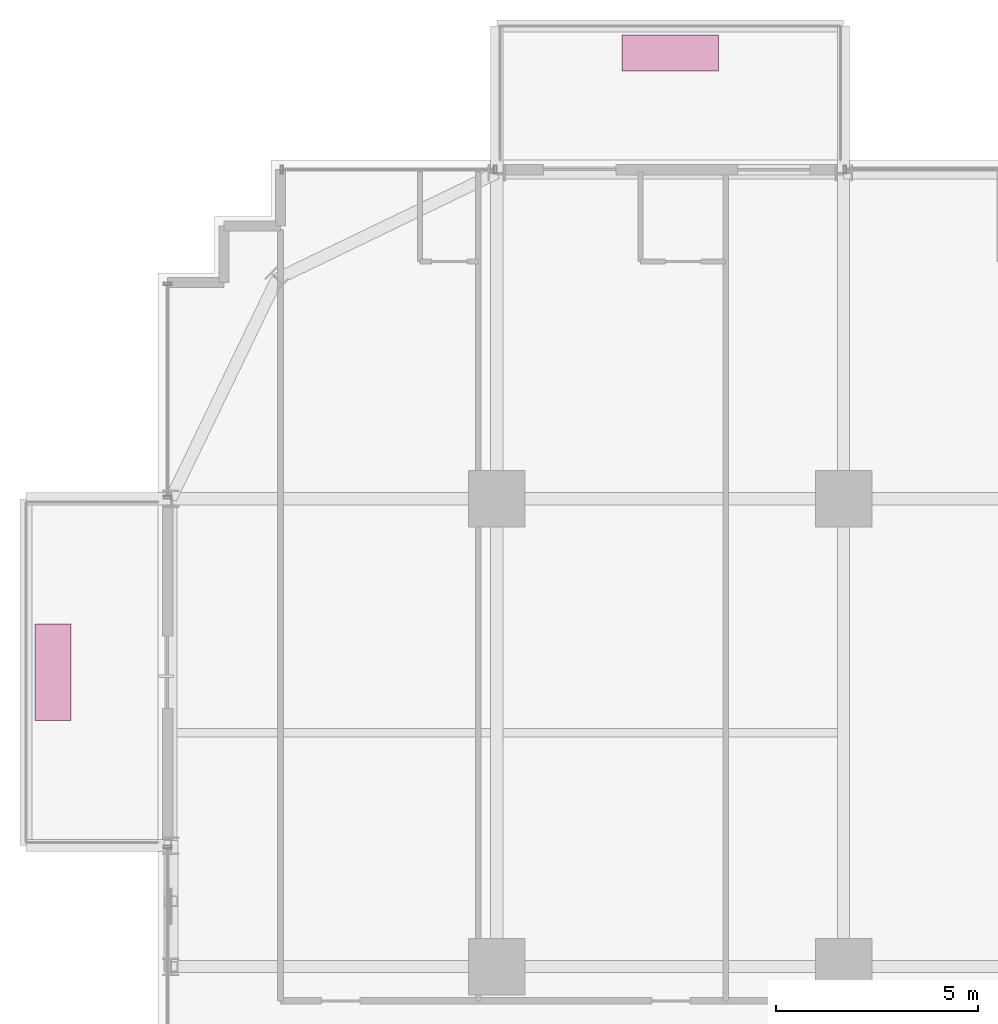
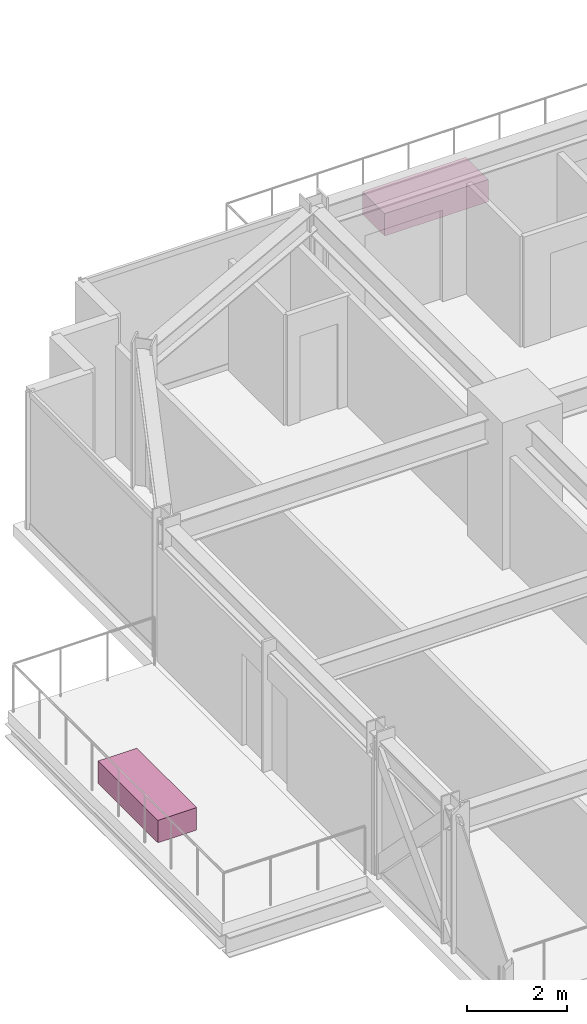
# One storey, part 42 of 42: 2 furnishings.
"""IFC4 building model written with IfcOpenShell, lengths in metres."""

import ifcopenshell
import ifcopenshell.guid

model = None  # the IFC model being written
_history = None  # IfcOwnerHistory: only IFC2X3 demands one
_inside = {}  # id of a spatial element -> (the spatial element, [elements in it])
_under = {}  # id of a project, library or spatial element -> (it, [spatial elements below it])
_declared = {}  # id of a project -> (the project, [libraries it declares])
_typed = {}  # id of a type object -> (the type object, [elements of that type])
_made_of = {}  # id of a material, layer set ... -> (it, [elements and type objects made of it])


def new_model(schema):
    """Start an empty IFC model of exactly this schema.

    Asked for "IFC4X3", IfcOpenShell would pick the latest addendum, in which some entities
    have other attributes; the version numbers below select the first issue.
    IFC2X3 requires an IfcOwnerHistory on every rooted entity: one is made here for all.
    """
    global model, _history
    if schema == "IFC4X3":
        model = ifcopenshell.file(schema_version=(4, 3, 0, 0))
    else:
        model = ifcopenshell.file(schema=schema)
    _inside.clear()
    _under.clear()
    _declared.clear()
    _typed.clear()
    _made_of.clear()
    _history = None
    if model.schema == "IFC2X3":
        org = make("IfcOrganization", Name="unknown")
        user = make(
            "IfcPersonAndOrganization",
            ThePerson=make("IfcPerson", FamilyName="unknown"),
            TheOrganization=org,
        )
        app = make(
            "IfcApplication",
            ApplicationDeveloper=org,
            Version="unknown",
            ApplicationFullName="unknown",
            ApplicationIdentifier="unknown",
        )
        _history = make(
            "IfcOwnerHistory",
            OwningUser=user,
            OwningApplication=app,
            ChangeAction="ADDED",
            CreationDate=0,
        )
    return model


def make(cls, **values):
    """One entity of the class cls with the attributes given. An attribute that is None is left unset."""
    return model.create_entity(
        cls, **{name: value for name, value in values.items() if value is not None}
    )


def rooted(cls, **values):
    """An entity with a GlobalId (a new one), such as an element, a storey or a relation."""
    return make(cls, GlobalId=ifcopenshell.guid.new(), OwnerHistory=_history, **values)


def si_unit(unit_type, name, prefix=None):
    """IfcSIUnit, for example si_unit("LENGTHUNIT", "METRE", prefix="MILLI")."""
    return make("IfcSIUnit", UnitType=unit_type, Prefix=prefix, Name=name)


def assignment(units):
    """IfcUnitAssignment: the units of a project."""
    return None if units is None else make("IfcUnitAssignment", Units=units)


def point(xyz):
    """IfcCartesianPoint."""
    return None if xyz is None else make("IfcCartesianPoint", Coordinates=xyz)


def direction(xyz):
    """IfcDirection."""
    return None if xyz is None else make("IfcDirection", DirectionRatios=xyz)


def frame(location, z_axis=None, x_axis=None):
    """IfcAxis2Placement3D, a coordinate frame: its origin and axes. An axis left out is left unset."""
    return make(
        "IfcAxis2Placement3D",
        Location=point(location),
        Axis=direction(z_axis),
        RefDirection=direction(x_axis),
    )


def frame_2d(location, x_axis=None):
    """IfcAxis2Placement2D, a coordinate frame in the plane: its origin and x axis."""
    return make(
        "IfcAxis2Placement2D", Location=point(location), RefDirection=direction(x_axis)
    )


def origin():
    """The frame at (0, 0, 0) with its axes left unset."""
    return frame((0.0, 0.0, 0.0))


def origin_2d():
    """The frame at (0, 0) in the plane with its x axis left unset."""
    return frame_2d((0.0, 0.0))


def place(relative_to, where):
    """IfcLocalPlacement: puts the frame where relative to a parent placement (None: the world)."""
    return make(
        "IfcLocalPlacement", PlacementRelTo=relative_to, RelativePlacement=where
    )


def context(
    kind, dimensions, precision=None, world=None, true_north=None, identifier=None
):
    """IfcGeometricRepresentationContext, for example the 3D "Model" context."""
    return make(
        "IfcGeometricRepresentationContext",
        ContextIdentifier=identifier,
        ContextType=kind,
        CoordinateSpaceDimension=dimensions,
        Precision=precision,
        WorldCoordinateSystem=world,
        TrueNorth=true_north,
    )


def subcontext(parent, identifier, kind, view, scale=None):
    """IfcGeometricRepresentationSubContext, for example "Body" below "Model"."""
    return make(
        "IfcGeometricRepresentationSubContext",
        ContextIdentifier=identifier,
        ContextType=kind,
        ParentContext=parent,
        TargetScale=scale,
        TargetView=view,
    )


def project(units=None, contexts=None):
    """IfcProject with its units and contexts."""
    return rooted(
        "IfcProject",
        Name="project",
        RepresentationContexts=contexts,
        UnitsInContext=assignment(units),
    )


def spatial(cls, under=None, at=None, **own):
    """A site, building, storey or space (cls), placed at a placement, below another one or the project."""
    s = rooted(cls, ObjectPlacement=at, **own)
    if under is not None:
        _under.setdefault(under.id(), (under, []))[1].append(s)
    return s


def profile(cls, at=None, kind="AREA", **sizes):
    """A parametric profile (cls). Its sizes go by their IFC names, for example OverallWidth=200.0."""
    return make(cls, ProfileType=kind, Position=at, **sizes)


def rectangle(**sizes):
    """IfcRectangleProfileDef."""
    return profile("IfcRectangleProfileDef", **sizes)


def extrude(swept, where, along, depth):
    """IfcExtrudedAreaSolid: the profile swept, set in the frame where, extruded along a direction by depth."""
    return make(
        "IfcExtrudedAreaSolid",
        SweptArea=swept,
        Position=where,
        ExtrudedDirection=direction(along),
        Depth=depth,
    )


def shape(context_of_items, identifier, shape_type, items):
    """IfcShapeRepresentation: the items that make up one representation, for example the "Body"."""
    return make(
        "IfcShapeRepresentation",
        ContextOfItems=context_of_items,
        RepresentationIdentifier=identifier,
        RepresentationType=shape_type,
        Items=items,
    )


def source(mapping_origin, context_of_items, identifier, shape_type, items):
    """IfcRepresentationMap: a shape defined once, which mapped items show again and again."""
    return make(
        "IfcRepresentationMap",
        MappingOrigin=mapping_origin,
        MappedRepresentation=shape(context_of_items, identifier, shape_type, items),
    )


def transform(
    local_origin,
    x_axis=None,
    y_axis=None,
    z_axis=None,
    scale=None,
    scale2=None,
    scale3=None,
    uniform=True,
):
    """IfcCartesianTransformationOperator3D, or its non-uniform kind. x_axis, y_axis, z_axis: its Axis1, 2, 3."""
    if uniform:
        return make(
            "IfcCartesianTransformationOperator3D",
            Axis1=direction(x_axis),
            Axis2=direction(y_axis),
            LocalOrigin=point(local_origin),
            Scale=scale,
            Axis3=direction(z_axis),
        )
    return make(
        "IfcCartesianTransformationOperator3DnonUniform",
        Axis1=direction(x_axis),
        Axis2=direction(y_axis),
        LocalOrigin=point(local_origin),
        Scale=scale,
        Axis3=direction(z_axis),
        Scale2=scale2,
        Scale3=scale3,
    )


def mapped(mapping_source, mapping_target):
    """IfcMappedItem: shows the shape of a source again, moved by a transform."""
    return make(
        "IfcMappedItem", MappingSource=mapping_source, MappingTarget=mapping_target
    )


def material(Name=None, Category=None):
    """IfcMaterial."""
    return make("IfcMaterial", Name=Name, Category=Category)


def made_of(thing, what):
    """Note that an element or type object is made of a material, layer set ...; save() writes the relation."""
    if what is not None:
        _made_of.setdefault(what.id(), (what, []))[1].append(thing)
    return thing


def type_object(cls, material=None, **own):
    """A type object (cls), such as IfcWallType, which elements share."""
    return made_of(rooted(cls, **own), material)


def element(
    cls,
    number,
    at=None,
    inside=None,
    cuts=None,
    type_object=None,
    material=None,
    context=None,
    identifier="Body",
    shape_type=None,
    held_by="IfcProductDefinitionShape",
    body=None,
    shapes=None,
    **own,
):
    """One element of the class cls, such as IfcWall. Its Tag is "e" and its number.

    at: its placement. inside: the storey or other place that contains it. cuts: it is an
    opening in that element (IfcRelVoidsElement). A single representation is given by context,
    identifier, shape_type and body (its items); several are given by shapes. held_by: the class
    of the entity that holds the representations. save() writes the other relations.
    """
    e = rooted(cls, Tag="e%d" % number, ObjectPlacement=at, **own)
    if body is not None:
        shapes = [shape(context, identifier, shape_type, body)]
    if shapes is not None:
        e.Representation = make(held_by, Representations=shapes)
    if inside is not None:
        _inside.setdefault(inside.id(), (inside, []))[1].append(e)
    if cuts is not None:
        rooted(
            "IfcRelVoidsElement", RelatingBuildingElement=cuts, RelatedOpeningElement=e
        )
    if type_object is not None:
        _typed.setdefault(type_object.id(), (type_object, []))[1].append(e)
    return made_of(e, material)


def aggregate(whole, parts):
    """IfcRelAggregates: a whole, such as a stair, and the parts it consists of."""
    return rooted("IfcRelAggregates", RelatingObject=whole, RelatedObjects=parts)


def save(model, path):
    """Write the relations noted so far, then the file.

    IfcRelAggregates (storeys below a building ...), IfcRelContainedInSpatialStructure (elements
    in a storey), IfcRelDefinesByType, IfcRelAssociatesMaterial and IfcRelDeclares: one each for
    every whole, place, type object, material and project.
    """
    for whole, parts in _under.values():
        aggregate(whole, parts)
    for where, things in _inside.values():
        rooted(
            "IfcRelContainedInSpatialStructure",
            RelatedElements=things,
            RelatingStructure=where,
        )
    for kind, things in _typed.values():
        rooted("IfcRelDefinesByType", RelatedObjects=things, RelatingType=kind)
    for what, things in _made_of.values():
        rooted("IfcRelAssociatesMaterial", RelatedObjects=things, RelatingMaterial=what)
    for by, libraries in _declared.values():
        rooted("IfcRelDeclares", RelatingContext=by, RelatedDefinitions=libraries)
    model.write(path)


model = new_model("IFC4")

# Units and contexts
model_context = context("Model", 3, precision=1e-05, world=origin(), true_north=direction((0.0, 1.0)))
body_context = subcontext(model_context, "Body", "Model", "MODEL_VIEW")
ifc_project = project(units=[si_unit("LENGTHUNIT", "METRE"), si_unit("AREAUNIT", "SQUARE_METRE"), si_unit("VOLUMEUNIT", "CUBIC_METRE"), si_unit("PLANEANGLEUNIT", "RADIAN"), si_unit("MASSUNIT", "GRAM", prefix="KILO")], contexts=[model_context])

# Site, building, storey
site_placement = place(None, origin())
site = spatial("IfcSite", under=ifc_project, at=site_placement, CompositionType="ELEMENT")
building_placement = place(site_placement, origin())
building = spatial("IfcBuilding", under=site, at=building_placement, Name="Nahalor Promenade Grand Hotel", CompositionType="ELEMENT")
storey_placement = place(building_placement, frame((0.0, 0.0, 61.60009765625)))
storey = spatial("IfcBuildingStorey", under=building, at=storey_placement, Name="L14", CompositionType="ELEMENT", Elevation=61.60009765625)

# Furnishings
ifc_material = material(Name="Vegetated Volcanic-Lapilli Tree Planter", Category="earth")
furnishing_element_type = type_object("IfcFurnishingElementType", Name="Planter-VerticalForest-Box", material=ifc_material)
shared_shape = source(origin(), body_context, "Body", "SweptSolid", [
    extrude(rectangle(XDim=2.39990234375, YDim=0.89990234375, at=origin_2d()), origin(), (0.0, 0.0, 1.0), 0.550048828125),
])
for number, where, z_axis, x_axis, name in (
    (1, (-12.699951171875, 28.050048828125, 0.0), (0.0, 0.0, 1.0), (1.0, 0.0, 0.0), "L14 Balcony Structural Tree Planter 1"),
    (2, (-28.0, 12.699951171875, 0.0), (0.0, 0.0, 1.0), (0.0, 1.0, 0.0), "L14 Balcony Structural Tree Planter 2"),
):
    element("IfcFurnishingElement", number, at=place(storey_placement, frame(where, z_axis=z_axis, x_axis=x_axis)), inside=storey, type_object=furnishing_element_type, Name=name, ObjectType="PLANTER", context=body_context, shape_type="MappedRepresentation", body=[
        mapped(shared_shape, transform((0.0, 0.0, 0.0), scale=1.0)),
    ])

save(model, "model.ifc")
